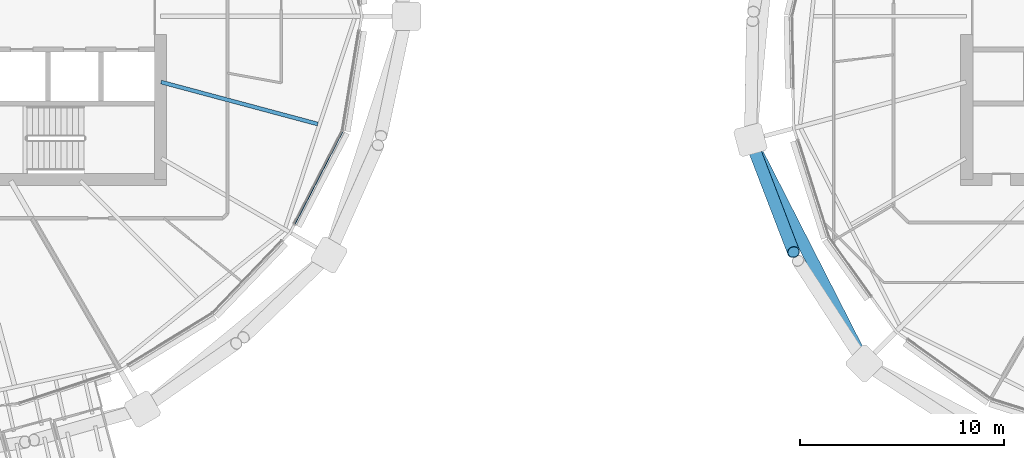
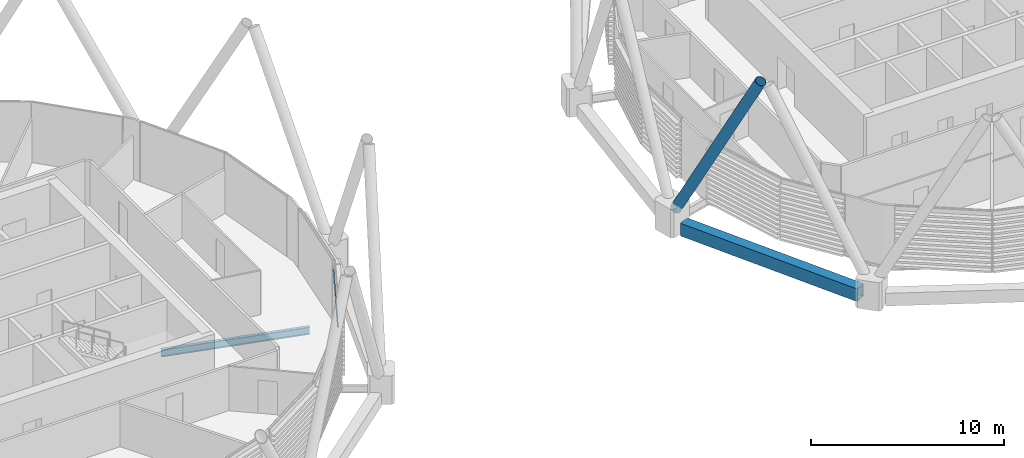
# One storey, part 7 of 35: 2 beams, 2 members, 1 element without a shape of its own.
"""IFC4 building model written with IfcOpenShell, lengths in metres."""

import ifcopenshell
import ifcopenshell.guid

model = None  # the IFC model being written
_history = None  # IfcOwnerHistory: only IFC2X3 demands one
_inside = {}  # id of a spatial element -> (the spatial element, [elements in it])
_under = {}  # id of a project, library or spatial element -> (it, [spatial elements below it])
_declared = {}  # id of a project -> (the project, [libraries it declares])
_typed = {}  # id of a type object -> (the type object, [elements of that type])
_made_of = {}  # id of a material, layer set ... -> (it, [elements and type objects made of it])


def new_model(schema):
    """Start an empty IFC model of exactly this schema.

    Asked for "IFC4X3", IfcOpenShell would pick the latest addendum, in which some entities
    have other attributes; the version numbers below select the first issue.
    IFC2X3 requires an IfcOwnerHistory on every rooted entity: one is made here for all.
    """
    global model, _history
    if schema == "IFC4X3":
        model = ifcopenshell.file(schema_version=(4, 3, 0, 0))
    else:
        model = ifcopenshell.file(schema=schema)
    _inside.clear()
    _under.clear()
    _declared.clear()
    _typed.clear()
    _made_of.clear()
    _history = None
    if model.schema == "IFC2X3":
        org = make("IfcOrganization", Name="unknown")
        user = make(
            "IfcPersonAndOrganization",
            ThePerson=make("IfcPerson", FamilyName="unknown"),
            TheOrganization=org,
        )
        app = make(
            "IfcApplication",
            ApplicationDeveloper=org,
            Version="unknown",
            ApplicationFullName="unknown",
            ApplicationIdentifier="unknown",
        )
        _history = make(
            "IfcOwnerHistory",
            OwningUser=user,
            OwningApplication=app,
            ChangeAction="ADDED",
            CreationDate=0,
        )
    return model


def make(cls, **values):
    """One entity of the class cls with the attributes given. An attribute that is None is left unset."""
    return model.create_entity(
        cls, **{name: value for name, value in values.items() if value is not None}
    )


def rooted(cls, **values):
    """An entity with a GlobalId (a new one), such as an element, a storey or a relation."""
    return make(cls, GlobalId=ifcopenshell.guid.new(), OwnerHistory=_history, **values)


def si_unit(unit_type, name, prefix=None):
    """IfcSIUnit, for example si_unit("LENGTHUNIT", "METRE", prefix="MILLI")."""
    return make("IfcSIUnit", UnitType=unit_type, Prefix=prefix, Name=name)


def assignment(units):
    """IfcUnitAssignment: the units of a project."""
    return None if units is None else make("IfcUnitAssignment", Units=units)


def point(xyz):
    """IfcCartesianPoint."""
    return None if xyz is None else make("IfcCartesianPoint", Coordinates=xyz)


def direction(xyz):
    """IfcDirection."""
    return None if xyz is None else make("IfcDirection", DirectionRatios=xyz)


def frame(location, z_axis=None, x_axis=None):
    """IfcAxis2Placement3D, a coordinate frame: its origin and axes. An axis left out is left unset."""
    return make(
        "IfcAxis2Placement3D",
        Location=point(location),
        Axis=direction(z_axis),
        RefDirection=direction(x_axis),
    )


def frame_2d(location, x_axis=None):
    """IfcAxis2Placement2D, a coordinate frame in the plane: its origin and x axis."""
    return make(
        "IfcAxis2Placement2D", Location=point(location), RefDirection=direction(x_axis)
    )


def origin():
    """The frame at (0, 0, 0) with its axes left unset."""
    return frame((0.0, 0.0, 0.0))


def origin_2d():
    """The frame at (0, 0) in the plane with its x axis left unset."""
    return frame_2d((0.0, 0.0))


def place(relative_to, where):
    """IfcLocalPlacement: puts the frame where relative to a parent placement (None: the world)."""
    return make(
        "IfcLocalPlacement", PlacementRelTo=relative_to, RelativePlacement=where
    )


def context(
    kind, dimensions, precision=None, world=None, true_north=None, identifier=None
):
    """IfcGeometricRepresentationContext, for example the 3D "Model" context."""
    return make(
        "IfcGeometricRepresentationContext",
        ContextIdentifier=identifier,
        ContextType=kind,
        CoordinateSpaceDimension=dimensions,
        Precision=precision,
        WorldCoordinateSystem=world,
        TrueNorth=true_north,
    )


def subcontext(parent, identifier, kind, view, scale=None):
    """IfcGeometricRepresentationSubContext, for example "Body" below "Model"."""
    return make(
        "IfcGeometricRepresentationSubContext",
        ContextIdentifier=identifier,
        ContextType=kind,
        ParentContext=parent,
        TargetScale=scale,
        TargetView=view,
    )


def project(units=None, contexts=None):
    """IfcProject with its units and contexts."""
    return rooted(
        "IfcProject",
        Name="project",
        RepresentationContexts=contexts,
        UnitsInContext=assignment(units),
    )


def spatial(cls, under=None, at=None, **own):
    """A site, building, storey or space (cls), placed at a placement, below another one or the project."""
    s = rooted(cls, ObjectPlacement=at, **own)
    if under is not None:
        _under.setdefault(under.id(), (under, []))[1].append(s)
    return s


def profile(cls, at=None, kind="AREA", **sizes):
    """A parametric profile (cls). Its sizes go by their IFC names, for example OverallWidth=200.0."""
    return make(cls, ProfileType=kind, Position=at, **sizes)


def rectangle(**sizes):
    """IfcRectangleProfileDef."""
    return profile("IfcRectangleProfileDef", **sizes)


def hollow_rectangle(**sizes):
    """IfcRectangleHollowProfileDef."""
    return profile("IfcRectangleHollowProfileDef", **sizes)


def hollow_circle(**sizes):
    """IfcCircleHollowProfileDef."""
    return profile("IfcCircleHollowProfileDef", **sizes)


def i_section(**sizes):
    """IfcIShapeProfileDef."""
    return profile("IfcIShapeProfileDef", **sizes)


def extrude(swept, where, along, depth):
    """IfcExtrudedAreaSolid: the profile swept, set in the frame where, extruded along a direction by depth."""
    return make(
        "IfcExtrudedAreaSolid",
        SweptArea=swept,
        Position=where,
        ExtrudedDirection=direction(along),
        Depth=depth,
    )


def shape(context_of_items, identifier, shape_type, items):
    """IfcShapeRepresentation: the items that make up one representation, for example the "Body"."""
    return make(
        "IfcShapeRepresentation",
        ContextOfItems=context_of_items,
        RepresentationIdentifier=identifier,
        RepresentationType=shape_type,
        Items=items,
    )


def material(Name=None, Category=None):
    """IfcMaterial."""
    return make("IfcMaterial", Name=Name, Category=Category)


def material_profile(
    of_material, cross_section, Name=None, Category=None, Priority=None
):
    """IfcMaterialProfile: a cross section and its material."""
    return make(
        "IfcMaterialProfile",
        Name=Name,
        Material=of_material,
        Profile=cross_section,
        Priority=Priority,
        Category=Category,
    )


def profile_set(profiles, Name=None, composite=None):
    """IfcMaterialProfileSet."""
    return make(
        "IfcMaterialProfileSet",
        Name=Name,
        MaterialProfiles=profiles,
        CompositeProfile=composite,
    )


def made_of(thing, what):
    """Note that an element or type object is made of a material, layer set ...; save() writes the relation."""
    if what is not None:
        _made_of.setdefault(what.id(), (what, []))[1].append(thing)
    return thing


def type_object(cls, material=None, **own):
    """A type object (cls), such as IfcWallType, which elements share."""
    return made_of(rooted(cls, **own), material)


def element(
    cls,
    number,
    at=None,
    inside=None,
    cuts=None,
    type_object=None,
    material=None,
    context=None,
    identifier="Body",
    shape_type=None,
    held_by="IfcProductDefinitionShape",
    body=None,
    shapes=None,
    **own,
):
    """One element of the class cls, such as IfcWall. Its Tag is "e" and its number.

    at: its placement. inside: the storey or other place that contains it. cuts: it is an
    opening in that element (IfcRelVoidsElement). A single representation is given by context,
    identifier, shape_type and body (its items); several are given by shapes. held_by: the class
    of the entity that holds the representations. save() writes the other relations.
    """
    e = rooted(cls, Tag="e%d" % number, ObjectPlacement=at, **own)
    if body is not None:
        shapes = [shape(context, identifier, shape_type, body)]
    if shapes is not None:
        e.Representation = make(held_by, Representations=shapes)
    if inside is not None:
        _inside.setdefault(inside.id(), (inside, []))[1].append(e)
    if cuts is not None:
        rooted(
            "IfcRelVoidsElement", RelatingBuildingElement=cuts, RelatedOpeningElement=e
        )
    if type_object is not None:
        _typed.setdefault(type_object.id(), (type_object, []))[1].append(e)
    return made_of(e, material)


def aggregate(whole, parts):
    """IfcRelAggregates: a whole, such as a stair, and the parts it consists of."""
    return rooted("IfcRelAggregates", RelatingObject=whole, RelatedObjects=parts)


def save(model, path):
    """Write the relations noted so far, then the file.

    IfcRelAggregates (storeys below a building ...), IfcRelContainedInSpatialStructure (elements
    in a storey), IfcRelDefinesByType, IfcRelAssociatesMaterial and IfcRelDeclares: one each for
    every whole, place, type object, material and project.
    """
    for whole, parts in _under.values():
        aggregate(whole, parts)
    for where, things in _inside.values():
        rooted(
            "IfcRelContainedInSpatialStructure",
            RelatedElements=things,
            RelatingStructure=where,
        )
    for kind, things in _typed.values():
        rooted("IfcRelDefinesByType", RelatedObjects=things, RelatingType=kind)
    for what, things in _made_of.values():
        rooted("IfcRelAssociatesMaterial", RelatedObjects=things, RelatingMaterial=what)
    for by, libraries in _declared.values():
        rooted("IfcRelDeclares", RelatingContext=by, RelatedDefinitions=libraries)
    model.write(path)


model = new_model("IFC4")

# Units and contexts
model_context = context("Model", 3, precision=1e-05, world=origin(), true_north=direction((0.0, 1.0)))
body_context = subcontext(model_context, "Body", "Model", "MODEL_VIEW")
ifc_project = project(units=[si_unit("LENGTHUNIT", "METRE"), si_unit("AREAUNIT", "SQUARE_METRE"), si_unit("VOLUMEUNIT", "CUBIC_METRE"), si_unit("PLANEANGLEUNIT", "RADIAN"), si_unit("MASSUNIT", "GRAM", prefix="KILO")], contexts=[model_context])

# Site, building, storey
site_placement = place(None, origin())
site = spatial("IfcSite", under=ifc_project, at=site_placement, CompositionType="ELEMENT")
building_placement = place(site_placement, origin())
building = spatial("IfcBuilding", under=site, at=building_placement, Name="Rimbun Link Towers", CompositionType="ELEMENT")
storey_placement = place(building_placement, frame((0.0, 0.0, 181.699951171875)))
storey = spatial("IfcBuildingStorey", under=building, at=storey_placement, Name="L44", CompositionType="ELEMENT", Elevation=181.699951171875)

# Curtain wall, member
ifc_material_1 = material(Name="Aluminium 6063-T6 and low-iron glass", Category="aluminium")
curtain_wall_type = type_object("IfcCurtainWallType", Name="CW1-Z3 unitised vision wall (zone 3)", PredefinedType="NOTDEFINED", material=ifc_material_1)
curtain_wall_placement = place(storey_placement, origin())
curtain_wall = element("IfcCurtainWall", 1, at=curtain_wall_placement, inside=storey, type_object=curtain_wall_type, Name="CW1 L44 T1", PredefinedType="NOTDEFINED")
ifc_material_2 = material(Name="Aluminium 6063-T6", Category="aluminium")
ifc_material_profile_1 = material_profile(ifc_material_2, rectangle(XDim=0.06005859375, YDim=0.1201171875, at=origin_2d()), Name="TRANSOM 60X120")
ifc_profile_set_1 = profile_set([ifc_material_profile_1], Name="Aluminium 6063-T6")
member_type_1 = type_object("IfcMemberType", Name="CW1 transom 60X120", PredefinedType="USERDEFINED", material=ifc_profile_set_1)
member_1_placement = place(storey_placement, frame((-10.831298828125, -5.648193359375, 3.199951171875), z_axis=(-0.45954293457, -0.888155555794, 0.0), x_axis=(0.888155555794, -0.45954293457, 0.0)))
member_1 = element("IfcMember", 2, at=member_1_placement, type_object=member_type_1, Name="CW1 transom", ObjectType="TRANSOM", PredefinedType="USERDEFINED", context=body_context, shape_type="SweptSolid", body=[
    extrude(rectangle(XDim=0.06005859375, YDim=0.1201171875, at=origin_2d()), origin(), (0.0, 0.0, 1.0), 5.091064453125),
])
aggregate(curtain_wall, [member_1])

# Member
ifc_material_3 = material(Name="Steel S355J2H", Category="steel")
ifc_material_profile_2 = material_profile(ifc_material_3, hollow_circle(Radius=0.3046875, WallThickness=0.02490234375, at=origin_2d()), Name="Diagrid diagonal CHS 610x25")
ifc_profile_set_2 = profile_set([ifc_material_profile_2], Name="Steel S355J2H")
member_type_2 = type_object("IfcMemberType", Name="Diagrid diagonal CHS 610x25", PredefinedType="BRACE", material=ifc_profile_set_2)
member_2_placement = place(storey_placement, frame((9.24267578125, -6.274658203125, 0.4404296875), z_axis=(0.169563008319, -0.442151641945, 0.880766888419), x_axis=(0.9336956127, 0.358067734967, 0.0)))
element("IfcMember", 3, at=member_2_placement, inside=storey, type_object=member_type_2, Name="Diagrid diagonal T2 L44-L47 10b", PredefinedType="BRACE", context=body_context, shape_type="SweptSolid", body=[
    extrude(hollow_circle(Radius=0.3046875, WallThickness=0.02490234375, at=origin_2d()), origin(), (0.0, 0.0, 1.0), 11.943359375),
])

# Beams
ifc_material_4 = material(Name="Steel S355J2", Category="steel")
ifc_material_profile_3 = material_profile(ifc_material_4, hollow_rectangle(XDim=0.60009765625, YDim=0.800048828125, WallThickness=0.0400390625, at=origin_2d()), Name="Exoskeleton ring girder BOX 600x800x40")
ifc_profile_set_3 = profile_set([ifc_material_profile_3], Name="Steel S355J2")
beam_type_1 = type_object("IfcBeamType", Name="Exoskeleton ring girder BOX 600x800x40", PredefinedType="BEAM", material=ifc_profile_set_3)
beam_1_placement = place(storey_placement, frame((9.475830078125, -6.67724609375, -0.56005859375), z_axis=(0.454289626866, -0.890854048047, 0.0), x_axis=(0.890854048047, 0.454289626866, 0.0)))
element("IfcBeam", 4, at=beam_1_placement, inside=storey, type_object=beam_type_1, Name="Exoskeleton ring girder L44 04", PredefinedType="BEAM", context=body_context, shape_type="SweptSolid", body=[
    extrude(hollow_rectangle(XDim=0.60009765625, YDim=0.800048828125, WallThickness=0.0400390625, at=origin_2d()), origin(), (0.0, 0.0, 1.0), 10.89501953125),
])
ifc_material_5 = material(Name="Steel S355J2", Category="steel")
ifc_material_profile_4 = material_profile(ifc_material_5, i_section(OverallWidth=0.18994140625, OverallDepth=0.453369140625, WebThickness=0.008544921875, FlangeThickness=0.0126953125, at=origin_2d()), Name="UB 457x191x67")
ifc_profile_set_4 = profile_set([ifc_material_profile_4], Name="Steel S355J2")
beam_type_2 = type_object("IfcBeamType", Name="UB 457x191x67", PredefinedType="BEAM", material=ifc_profile_set_4)
beam_2_placement = place(storey_placement, frame((-19.724609375, -3.22216796875, -0.376708984375), z_axis=(0.965924739595, -0.258823100664, 0.0), x_axis=(0.258823100664, 0.965924739595, 0.0)))
element("IfcBeam", 5, at=beam_2_placement, inside=storey, type_object=beam_type_2, Name="Radial beam T1 L44 23", PredefinedType="BEAM", context=body_context, shape_type="SweptSolid", body=[
    extrude(i_section(OverallWidth=0.18994140625, OverallDepth=0.453369140625, WebThickness=0.008544921875, FlangeThickness=0.0126953125, at=origin_2d()), origin(), (0.0, 0.0, 1.0), 7.947021484375),
])

save(model, "model.ifc")
